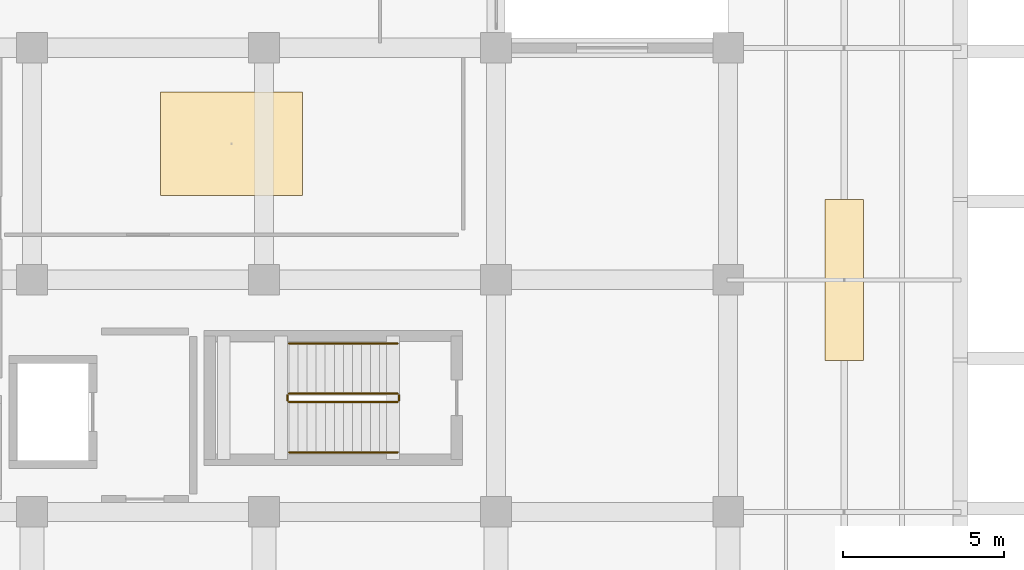
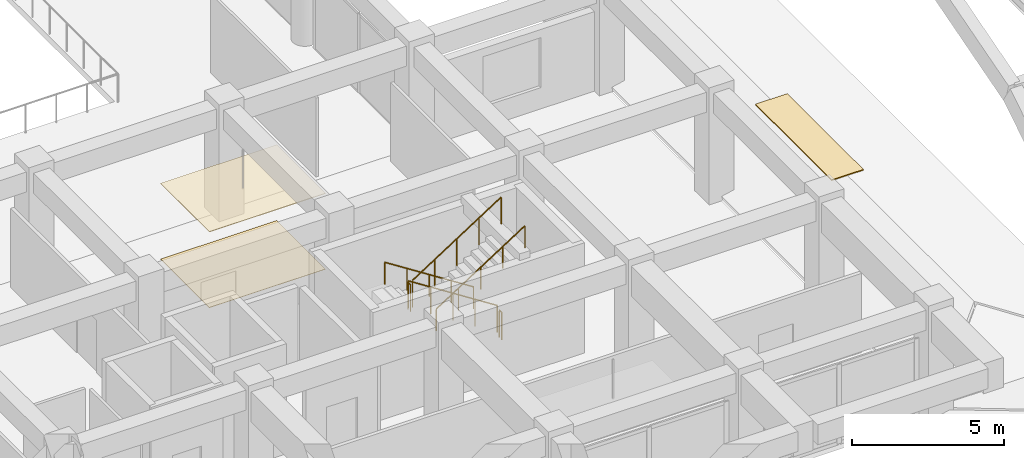
# One storey, part 51 of 54: 6 railings, 3 coverings, 1 element without a shape of its own.
"""IFC4 building model written with IfcOpenShell, lengths in metres."""

from ifc_helpers import new_model, si_unit, direction, frame, origin, origin_2d, place, context, subcontext, project, spatial, rectangle, circle, extrude, material, layer, layer_set, type_object, element, aggregate, save


model = new_model("IFC4")

# Units and contexts
model_context = context("Model", 3, precision=1e-05, world=origin(), true_north=direction((0.0, 1.0)))
body_context = subcontext(model_context, "Body", "Model", "MODEL_VIEW")
ifc_project = project(units=[si_unit("LENGTHUNIT", "METRE"), si_unit("AREAUNIT", "SQUARE_METRE"), si_unit("VOLUMEUNIT", "CUBIC_METRE"), si_unit("PLANEANGLEUNIT", "RADIAN"), si_unit("MASSUNIT", "GRAM", prefix="KILO")], contexts=[model_context])

# Site, building, storey
site_placement = place(None, origin())
site = spatial("IfcSite", under=ifc_project, at=site_placement, CompositionType="ELEMENT")
building_placement = place(site_placement, origin())
building = spatial("IfcBuilding", under=site, at=building_placement, Name="Kazehaya Institute of Natural Sciences", CompositionType="ELEMENT")
storey_placement = place(building_placement, frame((0.0, 0.0, 10.43994140625)))
storey = spatial("IfcBuildingStorey", under=building, at=storey_placement, Name="L02", CompositionType="ELEMENT", Elevation=10.43994140625)

# Coverings
ifc_material_1 = material(Name="Mineral-fibre acoustic ceiling tile")
ifc_layer_1 = layer(ifc_material_1, 0.02490234375, Name="Mineral-fibre acoustic ceiling tile")
ifc_layer_set_1 = layer_set([ifc_layer_1], Name="Mineral-fibre acoustic ceiling tile")
covering_type_1 = type_object("IfcCoveringType", Name="COV-CEIL-AC", PredefinedType="CEILING", material=ifc_layer_set_1)
covering_1_placement = place(storey_placement, frame((103.989990234375, 32.625, 3.027587890625), z_axis=(0.0, 0.0, 1.0), x_axis=(1.0, 0.0, 0.0)))
element("IfcCovering", 1, at=covering_1_placement, inside=storey, type_object=covering_type_1, Name="L02 Cold Room and Autoclave Alcove ceiling 26", PredefinedType="CEILING", context=body_context, shape_type="SweptSolid", body=[
    extrude(rectangle(XDim=4.39990234375, YDim=3.199951171875, at=origin_2d()), origin(), (0.0, 0.0, 1.0), 0.02490234375),
])
ifc_material_2 = material(Name="Seamless chemical-resistant epoxy flooring")
ifc_layer_2 = layer(ifc_material_2, 0.014892578125, Name="Seamless chemical-resistant epoxy flooring")
ifc_layer_set_2 = layer_set([ifc_layer_2], Name="Seamless chemical-resistant epoxy flooring")
covering_type_2 = type_object("IfcCoveringType", Name="COV-FLR-EPX", PredefinedType="FLOORING", material=ifc_layer_set_2)
covering_2_placement = place(storey_placement, frame((103.989990234375, 32.625, 0.0), z_axis=(0.0, 0.0, 1.0), x_axis=(1.0, 0.0, 0.0)))
element("IfcCovering", 2, at=covering_2_placement, inside=storey, type_object=covering_type_2, Name="L02 Cold Room and Autoclave Alcove finish flooring 26", PredefinedType="FLOORING", context=body_context, shape_type="SweptSolid", body=[
    extrude(rectangle(XDim=4.39990234375, YDim=3.199951171875, at=origin_2d()), origin(), (0.0, 0.0, 1.0), 0.014892578125),
])

# Roof, covering
ifc_material_3 = material(Name="Copper standing-seam roofing", Category="copper")
roof_type = type_object("IfcRoofType", Name="RF-HIPPED", PredefinedType="HIP_ROOF", material=ifc_material_3)
roof_placement = place(storey_placement, origin())
roof = element("IfcRoof", 3, at=roof_placement, inside=storey, type_object=roof_type, Name="Hipped copper roof ROOF-VOL1-LINK", PredefinedType="HIP_ROOF")
ifc_layer_3 = layer(ifc_material_3, 0.0400390625, Name="Copper standing-seam roofing", Category="copper")
ifc_layer_set_3 = layer_set([ifc_layer_3], Name="Copper standing-seam roofing")
covering_type_3 = type_object("IfcCoveringType", Name="COV-ROOF-CU", PredefinedType="ROOFING", material=ifc_layer_set_3)
covering_3_placement = place(storey_placement, frame((123.0, 28.39990234375, 0.97802734375), z_axis=(0.0, 0.0, 1.0), x_axis=(1.0, 0.0, 0.0)))
covering_3 = element("IfcCovering", 4, at=covering_3_placement, type_object=covering_type_3, Name="L02 standing-seam roof covering 5", PredefinedType="ROOFING", context=body_context, shape_type="SweptSolid", body=[
    extrude(rectangle(XDim=1.199951171875, YDim=5.0, at=origin_2d()), origin(), (0.0, 0.0, 1.0), 0.0400390625),
])
aggregate(roof, [covering_3])

# Railings
ifc_material_4 = material(Name="Structural steel SN490B", Category="steel")
railing_type_1 = type_object("IfcRailingType", Name="RL-STAIR-GRD", PredefinedType="GUARDRAIL", material=ifc_material_4)
railing_1_placement = place(storey_placement, frame((109.139892578125, 24.8701171875, 0.18017578125)))
element("IfcRailing", 5, at=railing_1_placement, inside=storey, type_object=railing_type_1, Name="L02 ST-2 stair guard 1", PredefinedType="GUARDRAIL", context=body_context, shape_type="SweptSolid", body=[
    extrude(circle(Radius=0.02392578125, at=origin_2d()), frame((0.0, 0.0, 1.076171875), z_axis=(-0.841178475377, 0.0, 0.540757591313), x_axis=(0.0, -1.0, 0.0)), (0.0, 0.0, 1.0), 3.994140625),
    extrude(circle(Radius=0.02099609375, at=origin_2d()), origin(), (0.0, 0.0, 1.0), 1.052001953125),
    extrude(circle(Radius=0.02099609375, at=origin_2d()), frame((-0.83984375, 0.0, 0.5400390625)), (0.0, 0.0, 1.0), 1.052001953125),
    extrude(circle(Radius=0.02099609375, at=origin_2d()), frame((-1.679931640625, 0.0, 1.080078125)), (0.0, 0.0, 1.0), 1.052001953125),
    extrude(circle(Radius=0.02099609375, at=origin_2d()), frame((-2.52001953125, 0.0, 1.619873046875)), (0.0, 0.0, 1.0), 1.052001953125),
    extrude(circle(Radius=0.02099609375, at=origin_2d()), frame((-3.35986328125, 0.0, 2.159912109375)), (0.0, 0.0, 1.0), 1.052001953125),
])
railing_2_placement = place(storey_placement, frame((105.72998046875, 24.820068359375, 2.340087890625)))
element("IfcRailing", 6, at=railing_2_placement, inside=storey, type_object=railing_type_1, Name="L02 ST-2 stair guard 2", PredefinedType="GUARDRAIL", context=body_context, shape_type="SweptSolid", body=[
    extrude(circle(Radius=0.02392578125, at=origin_2d()), frame((0.0, 0.0, 1.076171875), z_axis=(0.0, -1.0, 0.0), x_axis=(1.0, 0.0, 0.0)), (0.0, 0.0, 1.0), 0.16015625),
    extrude(circle(Radius=0.02099609375, at=origin_2d()), origin(), (0.0, 0.0, 1.0), 1.052001953125),
    extrude(circle(Radius=0.02099609375, at=origin_2d()), frame((0.0, -0.16015625, 0.0)), (0.0, 0.0, 1.0), 1.052001953125),
])
railing_3_placement = place(storey_placement, frame((105.780029296875, 24.610107421875, 2.52001953125)))
element("IfcRailing", 7, at=railing_3_placement, inside=storey, type_object=railing_type_1, Name="L02 ST-2 stair guard 3", PredefinedType="GUARDRAIL", context=body_context, shape_type="SweptSolid", body=[
    extrude(circle(Radius=0.02392578125, at=origin_2d()), frame((0.0, 0.0, 1.076171875), z_axis=(0.841150671818, 0.0, 0.540800838849), x_axis=(0.0, 1.0, 0.0)), (0.0, 0.0, 1.0), 3.994384765625),
    extrude(circle(Radius=0.02099609375, at=origin_2d()), origin(), (0.0, 0.0, 1.0), 1.052001953125),
    extrude(circle(Radius=0.02099609375, at=origin_2d()), frame((0.83984375, 0.0, 0.5400390625)), (0.0, 0.0, 1.0), 1.052001953125),
    extrude(circle(Radius=0.02099609375, at=origin_2d()), frame((1.679931640625, 0.0, 1.080078125)), (0.0, 0.0, 1.0), 1.052001953125),
    extrude(circle(Radius=0.02099609375, at=origin_2d()), frame((2.52001953125, 0.0, 1.6201171875)), (0.0, 0.0, 1.0), 1.052001953125),
    extrude(circle(Radius=0.02099609375, at=origin_2d()), frame((3.35986328125, 0.0, 2.16015625)), (0.0, 0.0, 1.0), 1.052001953125),
])
railing_4_placement = place(storey_placement, frame((109.18994140625, 24.820068359375, 0.0)))
element("IfcRailing", 8, at=railing_4_placement, inside=storey, type_object=railing_type_1, Name="L02 ST-2 stair guard 4", PredefinedType="GUARDRAIL", context=body_context, shape_type="SweptSolid", body=[
    extrude(circle(Radius=0.02392578125, at=origin_2d()), frame((0.0, 0.0, 1.076171875), z_axis=(0.0, -1.0, 0.0), x_axis=(1.0, 0.0, 0.0)), (0.0, 0.0, 1.0), 0.16015625),
    extrude(circle(Radius=0.02099609375, at=origin_2d()), origin(), (0.0, 0.0, 1.0), 1.052001953125),
    extrude(circle(Radius=0.02099609375, at=origin_2d()), frame((0.0, -0.16015625, 0.0)), (0.0, 0.0, 1.0), 1.052001953125),
])
ifc_material_5 = material(Name="Brushed stainless steel handrail", Category="steel")
railing_type_2 = type_object("IfcRailingType", Name="RL-STAIR-HND", PredefinedType="HANDRAIL", material=ifc_material_5)
railing_5_placement = place(storey_placement, frame((109.139892578125, 26.429931640625, 0.18017578125)))
element("IfcRailing", 9, at=railing_5_placement, inside=storey, type_object=railing_type_2, Name="L02 ST-2 stair handrail 1", PredefinedType="HANDRAIL", context=body_context, shape_type="SweptSolid", body=[
    extrude(circle(Radius=0.02392578125, at=origin_2d()), frame((0.0, 0.0, 0.8759765625), z_axis=(-0.841178475377, 0.0, 0.540757591313), x_axis=(0.0, -1.0, 0.0)), (0.0, 0.0, 1.0), 3.994140625),
    extrude(circle(Radius=0.02099609375, at=origin_2d()), origin(), (0.0, 0.0, 1.0), 0.851806640625),
    extrude(circle(Radius=0.02099609375, at=origin_2d()), frame((-0.83984375, 0.0, 0.5400390625)), (0.0, 0.0, 1.0), 0.851806640625),
    extrude(circle(Radius=0.02099609375, at=origin_2d()), frame((-1.679931640625, 0.0, 1.080078125)), (0.0, 0.0, 1.0), 0.851806640625),
    extrude(circle(Radius=0.02099609375, at=origin_2d()), frame((-2.52001953125, 0.0, 1.619873046875)), (0.0, 0.0, 1.0), 0.851806640625),
    extrude(circle(Radius=0.02099609375, at=origin_2d()), frame((-3.35986328125, 0.0, 2.159912109375)), (0.0, 0.0, 1.0), 0.851806640625),
])
railing_6_placement = place(storey_placement, frame((105.780029296875, 23.050048828125, 2.52001953125)))
element("IfcRailing", 10, at=railing_6_placement, inside=storey, type_object=railing_type_2, Name="L02 ST-2 stair handrail 2", PredefinedType="HANDRAIL", context=body_context, shape_type="SweptSolid", body=[
    extrude(circle(Radius=0.02392578125, at=origin_2d()), frame((0.0, 0.0, 0.8759765625), z_axis=(0.841150671818, 0.0, 0.540800838849), x_axis=(0.0, 1.0, 0.0)), (0.0, 0.0, 1.0), 3.994384765625),
    extrude(circle(Radius=0.02099609375, at=origin_2d()), origin(), (0.0, 0.0, 1.0), 0.851806640625),
    extrude(circle(Radius=0.02099609375, at=origin_2d()), frame((0.83984375, 0.0, 0.5400390625)), (0.0, 0.0, 1.0), 0.851806640625),
    extrude(circle(Radius=0.02099609375, at=origin_2d()), frame((1.679931640625, 0.0, 1.080078125)), (0.0, 0.0, 1.0), 0.851806640625),
    extrude(circle(Radius=0.02099609375, at=origin_2d()), frame((2.52001953125, 0.0, 1.6201171875)), (0.0, 0.0, 1.0), 0.851806640625),
    extrude(circle(Radius=0.02099609375, at=origin_2d()), frame((3.35986328125, 0.0, 2.16015625)), (0.0, 0.0, 1.0), 0.851806640625),
])

save(model, "model.ifc")
